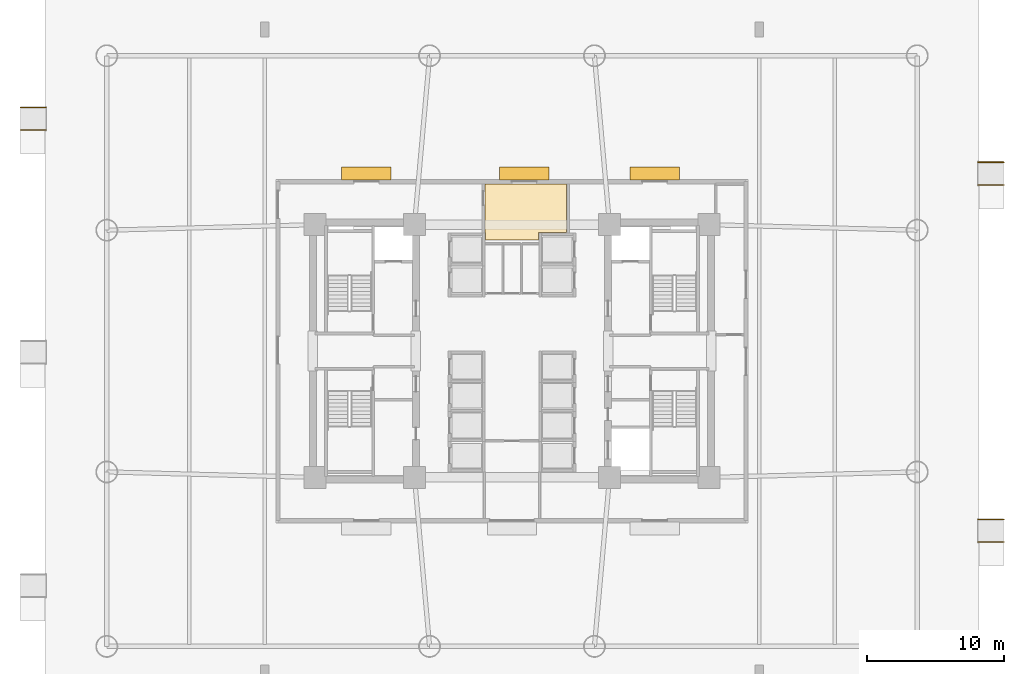
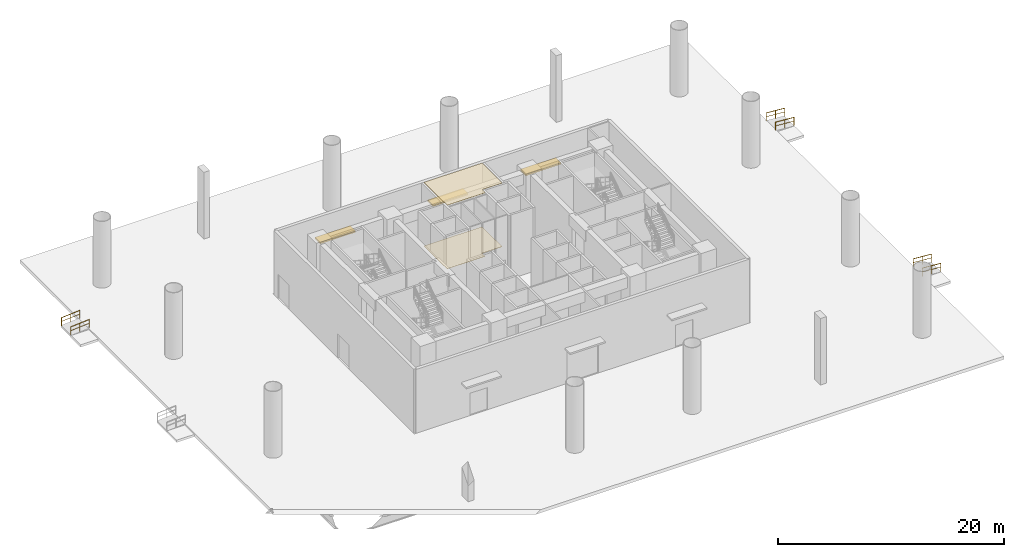
# One storey, part 9 of 10: 6 railings, 3 shading devices, 2 coverings.
"""IFC4 building model written with IfcOpenShell, lengths in metres."""

from ifc_helpers import new_model, si_unit, direction, frame, origin, origin_2d, place, context, subcontext, project, spatial, polyline, rectangle, outline, extrude, source, transform, mapped, material, layer, layer_set, type_object, element, save


model = new_model("IFC4")

# Units and contexts
model_context = context("Model", 3, precision=1e-05, world=origin(), true_north=direction((0.0, 1.0)))
body_context = subcontext(model_context, "Body", "Model", "MODEL_VIEW")
ifc_project = project(units=[si_unit("LENGTHUNIT", "METRE"), si_unit("AREAUNIT", "SQUARE_METRE"), si_unit("VOLUMEUNIT", "CUBIC_METRE"), si_unit("PLANEANGLEUNIT", "RADIAN"), si_unit("MASSUNIT", "GRAM", prefix="KILO")], contexts=[model_context])

# Site, building, storey
site_placement = place(None, origin())
site = spatial("IfcSite", under=ifc_project, at=site_placement, CompositionType="ELEMENT")
building_placement = place(site_placement, origin())
building = spatial("IfcBuilding", under=site, at=building_placement, Name="Zahravan Cultural Tower", CompositionType="ELEMENT")
storey_placement = place(building_placement, origin())
storey = spatial("IfcBuildingStorey", under=building, at=storey_placement, Name="L00", CompositionType="ELEMENT", Elevation=0.0)

# Coverings
ifc_material_1 = material(Name="Acoustic mineral fibreboard")
ifc_layer_1 = layer(ifc_material_1, 0.0400390625)
ifc_layer_set_1 = layer_set([ifc_layer_1], Name="Acoustic mineral fibreboard")
covering_type_1 = type_object("IfcCoveringType", Name="COV-CEIL-AC20", PredefinedType="CEILING", material=ifc_layer_set_1)
covering_1_placement = place(storey_placement, frame((0.0, 0.0, 6.860107421875)))
element("IfcCovering", 1, at=covering_1_placement, inside=storey, type_object=covering_type_1, Name="L00 Acoustic Suspended Ceiling", PredefinedType="CEILING", context=body_context, shape_type="SweptSolid", body=[
    extrude(outline(polyline([(34.070068359375, 35.6201171875), (34.070068359375, 35.080078125), (37.929931640625, 35.080078125), (37.929931640625, 35.6201171875), (39.969970703125, 35.6201171875), (39.969970703125, 39.169921875), (34.030029296875, 39.169921875), (34.030029296875, 35.6201171875), (34.070068359375, 35.6201171875)])), origin(), (0.0, 0.0, 1.0), 0.039794921875),
])
ifc_material_2 = material(Name="Terrazzo flooring")
ifc_layer_2 = layer(ifc_material_2, 0.02490234375)
ifc_layer_set_2 = layer_set([ifc_layer_2], Name="Terrazzo flooring")
covering_type_2 = type_object("IfcCoveringType", Name="COV-FLR-TZ25", PredefinedType="FLOORING", material=ifc_layer_set_2)
covering_2_placement = place(storey_placement, origin())
element("IfcCovering", 2, at=covering_2_placement, inside=storey, type_object=covering_type_2, Name="L00 Polished Terrazzo Flooring", PredefinedType="FLOORING", context=body_context, shape_type="SweptSolid", body=[
    extrude(outline(polyline([(34.070068359375, 35.6201171875), (34.070068359375, 35.080078125), (37.929931640625, 35.080078125), (37.929931640625, 35.6201171875), (39.969970703125, 35.6201171875), (39.969970703125, 39.169921875), (34.030029296875, 39.169921875), (34.030029296875, 35.6201171875), (34.070068359375, 35.6201171875)])), origin(), (0.0, 0.0, 1.0), 0.02490234375),
])

# Railings
ifc_material_3 = material(Name="Steel ASTM A572 Grade 50", Category="steel")
railing_type = type_object("IfcRailingType", Name="RL-RMP-900", PredefinedType="HANDRAIL", material=ifc_material_3)
for number, where, name in (
    (3, (0.199951171875, 43.10009765625, -0.139892578125), "RMP-03 Ramp Handrail 1"),
    (4, (0.199951171875, 44.739990234375, -0.139892578125), "RMP-03 Ramp Handrail 2"),
):
    element("IfcRailing", number, at=place(storey_placement, frame(where)), inside=storey, type_object=railing_type, Name=name, PredefinedType="HANDRAIL", context=body_context, shape_type="SweptSolid", body=[
        extrude(rectangle(XDim=0.05, YDim=0.05, at=origin_2d()), frame((0.0, 0.0, 0.875), z_axis=(0.997243320403, 0.0, 0.074200808024), x_axis=(0.0, 1.0, 0.0)), (0.0, 0.0, 1.0), 1.88525390625),
        extrude(rectangle(XDim=0.032, YDim=0.032, at=origin_2d()), frame((0.0, 0.0, 0.468017578125), z_axis=(0.997243320403, 0.0, 0.074200808024), x_axis=(0.0, 1.0, 0.0)), (0.0, 0.0, 1.0), 1.88525390625),
        extrude(rectangle(XDim=0.04, YDim=0.04, at=origin_2d()), origin(), (0.0, 0.0, 1.0), 0.89990234375),
        extrude(rectangle(XDim=0.04, YDim=0.04, at=origin_2d()), frame((0.93994140625, 0.0, 0.06982421875)), (0.0, 0.0, 1.0), 0.89990234375),
        extrude(rectangle(XDim=0.04, YDim=0.04, at=origin_2d()), frame((1.880126953125, 0.0, 0.139892578125)), (0.0, 0.0, 1.0), 0.89990234375),
    ])
for number, where, name in (
    (5, (71.800048828125, 13.10009765625, -0.139892578125), "RMP-04 Ramp Handrail 1"),
    (6, (71.800048828125, 14.739990234375, -0.139892578125), "RMP-04 Ramp Handrail 2"),
    (7, (71.800048828125, 39.10009765625, -0.139892578125), "RMP-05 Ramp Handrail 1"),
    (8, (71.800048828125, 40.739990234375, -0.139892578125), "RMP-05 Ramp Handrail 2"),
):
    element("IfcRailing", number, at=place(storey_placement, frame(where)), inside=storey, type_object=railing_type, Name=name, PredefinedType="HANDRAIL", context=body_context, shape_type="SweptSolid", body=[
        extrude(rectangle(XDim=0.05, YDim=0.05, at=origin_2d()), frame((0.0, 0.0, 0.875), z_axis=(-0.997243320403, 0.0, 0.074200808024), x_axis=(0.0, -1.0, 0.0)), (0.0, 0.0, 1.0), 1.88525390625),
        extrude(rectangle(XDim=0.032, YDim=0.032, at=origin_2d()), frame((0.0, 0.0, 0.468017578125), z_axis=(-0.997243320403, 0.0, 0.074200808024), x_axis=(0.0, -1.0, 0.0)), (0.0, 0.0, 1.0), 1.88525390625),
        extrude(rectangle(XDim=0.04, YDim=0.04, at=origin_2d()), origin(), (0.0, 0.0, 1.0), 0.89990234375),
        extrude(rectangle(XDim=0.04, YDim=0.04, at=origin_2d()), frame((-0.93994140625, 0.0, 0.06982421875)), (0.0, 0.0, 1.0), 0.89990234375),
        extrude(rectangle(XDim=0.04, YDim=0.04, at=origin_2d()), frame((-1.880126953125, 0.0, 0.139892578125)), (0.0, 0.0, 1.0), 0.89990234375),
    ])

# Shading devices
ifc_material_4 = material(Name="Architectural terracotta fin", Category="masonry")
ifc_layer_3 = layer(ifc_material_4, 0.159912109375)
ifc_layer_set_3 = layer_set([ifc_layer_3], Name="Architectural terracotta fin")
shading_device_type = type_object("IfcShadingDeviceType", Name="SHD-SUNSHADE-950", PredefinedType="USERDEFINED", material=ifc_layer_set_3)
shared_shape = source(origin(), body_context, "Body", "SweptSolid", [
    extrude(rectangle(XDim=3.60009765625, YDim=0.949951171875, at=origin_2d()), origin(), (0.0, 0.0, 1.0), 0.159912109375),
])
for number, where, z_axis, x_axis, name in (
    (9, (25.39990234375, 39.919921875, 3.72021484375), (0.0, 0.0, 1.0), (1.0, 0.0, 0.0), "L00 Terracotta Entrance Sunshade 01"),
    (10, (36.89990234375, 39.919921875, 3.72021484375), (0.0, 0.0, 1.0), (1.0, 0.0, 0.0), "L00 Terracotta Entrance Sunshade 02"),
    (11, (46.39990234375, 39.919921875, 3.72021484375), (0.0, 0.0, 1.0), (1.0, 0.0, 0.0), "L00 Terracotta Entrance Sunshade 03"),
):
    element("IfcShadingDevice", number, at=place(storey_placement, frame(where, z_axis=z_axis, x_axis=x_axis)), inside=storey, type_object=shading_device_type, Name=name, ObjectType="SUNSHADE", PredefinedType="USERDEFINED", context=body_context, shape_type="MappedRepresentation", body=[
        mapped(shared_shape, transform((0.0, 0.0, 0.0), x_axis=(1.0, 0.0, 0.0), y_axis=(0.0, 1.0, 0.0), z_axis=(0.0, 0.0, 1.0), scale=1.0)),
    ])

save(model, "model.ifc")
